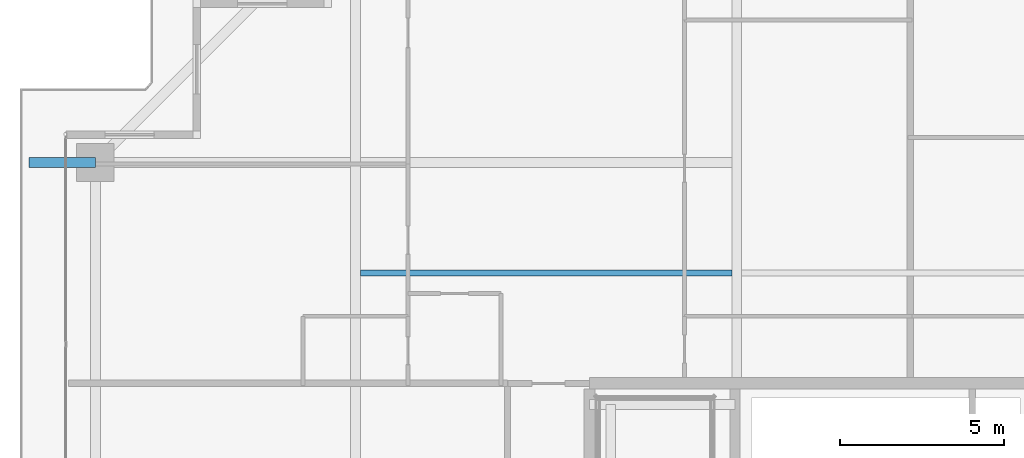
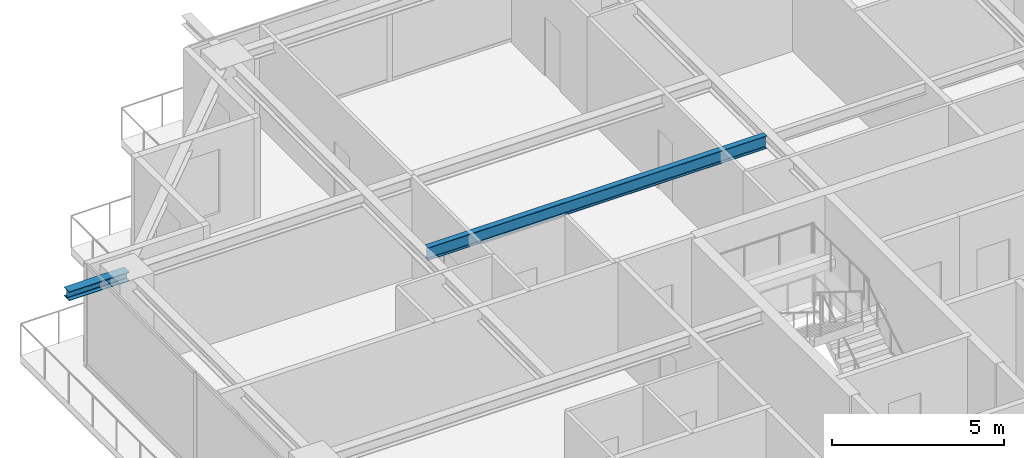
# One storey, part 17 of 37: 2 beams.
"""IFC4 building model written with IfcOpenShell, lengths in metres."""

import ifcopenshell
import ifcopenshell.guid

model = None  # the IFC model being written
_history = None  # IfcOwnerHistory: only IFC2X3 demands one
_inside = {}  # id of a spatial element -> (the spatial element, [elements in it])
_under = {}  # id of a project, library or spatial element -> (it, [spatial elements below it])
_declared = {}  # id of a project -> (the project, [libraries it declares])
_typed = {}  # id of a type object -> (the type object, [elements of that type])
_made_of = {}  # id of a material, layer set ... -> (it, [elements and type objects made of it])


def new_model(schema):
    """Start an empty IFC model of exactly this schema.

    Asked for "IFC4X3", IfcOpenShell would pick the latest addendum, in which some entities
    have other attributes; the version numbers below select the first issue.
    IFC2X3 requires an IfcOwnerHistory on every rooted entity: one is made here for all.
    """
    global model, _history
    if schema == "IFC4X3":
        model = ifcopenshell.file(schema_version=(4, 3, 0, 0))
    else:
        model = ifcopenshell.file(schema=schema)
    _inside.clear()
    _under.clear()
    _declared.clear()
    _typed.clear()
    _made_of.clear()
    _history = None
    if model.schema == "IFC2X3":
        org = make("IfcOrganization", Name="unknown")
        user = make(
            "IfcPersonAndOrganization",
            ThePerson=make("IfcPerson", FamilyName="unknown"),
            TheOrganization=org,
        )
        app = make(
            "IfcApplication",
            ApplicationDeveloper=org,
            Version="unknown",
            ApplicationFullName="unknown",
            ApplicationIdentifier="unknown",
        )
        _history = make(
            "IfcOwnerHistory",
            OwningUser=user,
            OwningApplication=app,
            ChangeAction="ADDED",
            CreationDate=0,
        )
    return model


def make(cls, **values):
    """One entity of the class cls with the attributes given. An attribute that is None is left unset."""
    return model.create_entity(
        cls, **{name: value for name, value in values.items() if value is not None}
    )


def rooted(cls, **values):
    """An entity with a GlobalId (a new one), such as an element, a storey or a relation."""
    return make(cls, GlobalId=ifcopenshell.guid.new(), OwnerHistory=_history, **values)


def si_unit(unit_type, name, prefix=None):
    """IfcSIUnit, for example si_unit("LENGTHUNIT", "METRE", prefix="MILLI")."""
    return make("IfcSIUnit", UnitType=unit_type, Prefix=prefix, Name=name)


def assignment(units):
    """IfcUnitAssignment: the units of a project."""
    return None if units is None else make("IfcUnitAssignment", Units=units)


def point(xyz):
    """IfcCartesianPoint."""
    return None if xyz is None else make("IfcCartesianPoint", Coordinates=xyz)


def direction(xyz):
    """IfcDirection."""
    return None if xyz is None else make("IfcDirection", DirectionRatios=xyz)


def frame(location, z_axis=None, x_axis=None):
    """IfcAxis2Placement3D, a coordinate frame: its origin and axes. An axis left out is left unset."""
    return make(
        "IfcAxis2Placement3D",
        Location=point(location),
        Axis=direction(z_axis),
        RefDirection=direction(x_axis),
    )


def frame_2d(location, x_axis=None):
    """IfcAxis2Placement2D, a coordinate frame in the plane: its origin and x axis."""
    return make(
        "IfcAxis2Placement2D", Location=point(location), RefDirection=direction(x_axis)
    )


def origin():
    """The frame at (0, 0, 0) with its axes left unset."""
    return frame((0.0, 0.0, 0.0))


def origin_2d():
    """The frame at (0, 0) in the plane with its x axis left unset."""
    return frame_2d((0.0, 0.0))


def place(relative_to, where):
    """IfcLocalPlacement: puts the frame where relative to a parent placement (None: the world)."""
    return make(
        "IfcLocalPlacement", PlacementRelTo=relative_to, RelativePlacement=where
    )


def context(
    kind, dimensions, precision=None, world=None, true_north=None, identifier=None
):
    """IfcGeometricRepresentationContext, for example the 3D "Model" context."""
    return make(
        "IfcGeometricRepresentationContext",
        ContextIdentifier=identifier,
        ContextType=kind,
        CoordinateSpaceDimension=dimensions,
        Precision=precision,
        WorldCoordinateSystem=world,
        TrueNorth=true_north,
    )


def subcontext(parent, identifier, kind, view, scale=None):
    """IfcGeometricRepresentationSubContext, for example "Body" below "Model"."""
    return make(
        "IfcGeometricRepresentationSubContext",
        ContextIdentifier=identifier,
        ContextType=kind,
        ParentContext=parent,
        TargetScale=scale,
        TargetView=view,
    )


def project(units=None, contexts=None):
    """IfcProject with its units and contexts."""
    return rooted(
        "IfcProject",
        Name="project",
        RepresentationContexts=contexts,
        UnitsInContext=assignment(units),
    )


def spatial(cls, under=None, at=None, **own):
    """A site, building, storey or space (cls), placed at a placement, below another one or the project."""
    s = rooted(cls, ObjectPlacement=at, **own)
    if under is not None:
        _under.setdefault(under.id(), (under, []))[1].append(s)
    return s


def profile(cls, at=None, kind="AREA", **sizes):
    """A parametric profile (cls). Its sizes go by their IFC names, for example OverallWidth=200.0."""
    return make(cls, ProfileType=kind, Position=at, **sizes)


def i_section(**sizes):
    """IfcIShapeProfileDef."""
    return profile("IfcIShapeProfileDef", **sizes)


def extrude(swept, where, along, depth):
    """IfcExtrudedAreaSolid: the profile swept, set in the frame where, extruded along a direction by depth."""
    return make(
        "IfcExtrudedAreaSolid",
        SweptArea=swept,
        Position=where,
        ExtrudedDirection=direction(along),
        Depth=depth,
    )


def shape(context_of_items, identifier, shape_type, items):
    """IfcShapeRepresentation: the items that make up one representation, for example the "Body"."""
    return make(
        "IfcShapeRepresentation",
        ContextOfItems=context_of_items,
        RepresentationIdentifier=identifier,
        RepresentationType=shape_type,
        Items=items,
    )


def source(mapping_origin, context_of_items, identifier, shape_type, items):
    """IfcRepresentationMap: a shape defined once, which mapped items show again and again."""
    return make(
        "IfcRepresentationMap",
        MappingOrigin=mapping_origin,
        MappedRepresentation=shape(context_of_items, identifier, shape_type, items),
    )


def transform(
    local_origin,
    x_axis=None,
    y_axis=None,
    z_axis=None,
    scale=None,
    scale2=None,
    scale3=None,
    uniform=True,
):
    """IfcCartesianTransformationOperator3D, or its non-uniform kind. x_axis, y_axis, z_axis: its Axis1, 2, 3."""
    if uniform:
        return make(
            "IfcCartesianTransformationOperator3D",
            Axis1=direction(x_axis),
            Axis2=direction(y_axis),
            LocalOrigin=point(local_origin),
            Scale=scale,
            Axis3=direction(z_axis),
        )
    return make(
        "IfcCartesianTransformationOperator3DnonUniform",
        Axis1=direction(x_axis),
        Axis2=direction(y_axis),
        LocalOrigin=point(local_origin),
        Scale=scale,
        Axis3=direction(z_axis),
        Scale2=scale2,
        Scale3=scale3,
    )


def mapped(mapping_source, mapping_target):
    """IfcMappedItem: shows the shape of a source again, moved by a transform."""
    return make(
        "IfcMappedItem", MappingSource=mapping_source, MappingTarget=mapping_target
    )


def material(Name=None, Category=None):
    """IfcMaterial."""
    return make("IfcMaterial", Name=Name, Category=Category)


def material_profile(
    of_material, cross_section, Name=None, Category=None, Priority=None
):
    """IfcMaterialProfile: a cross section and its material."""
    return make(
        "IfcMaterialProfile",
        Name=Name,
        Material=of_material,
        Profile=cross_section,
        Priority=Priority,
        Category=Category,
    )


def profile_set(profiles, Name=None, composite=None):
    """IfcMaterialProfileSet."""
    return make(
        "IfcMaterialProfileSet",
        Name=Name,
        MaterialProfiles=profiles,
        CompositeProfile=composite,
    )


def made_of(thing, what):
    """Note that an element or type object is made of a material, layer set ...; save() writes the relation."""
    if what is not None:
        _made_of.setdefault(what.id(), (what, []))[1].append(thing)
    return thing


def type_object(cls, material=None, **own):
    """A type object (cls), such as IfcWallType, which elements share."""
    return made_of(rooted(cls, **own), material)


def element(
    cls,
    number,
    at=None,
    inside=None,
    cuts=None,
    type_object=None,
    material=None,
    context=None,
    identifier="Body",
    shape_type=None,
    held_by="IfcProductDefinitionShape",
    body=None,
    shapes=None,
    **own,
):
    """One element of the class cls, such as IfcWall. Its Tag is "e" and its number.

    at: its placement. inside: the storey or other place that contains it. cuts: it is an
    opening in that element (IfcRelVoidsElement). A single representation is given by context,
    identifier, shape_type and body (its items); several are given by shapes. held_by: the class
    of the entity that holds the representations. save() writes the other relations.
    """
    e = rooted(cls, Tag="e%d" % number, ObjectPlacement=at, **own)
    if body is not None:
        shapes = [shape(context, identifier, shape_type, body)]
    if shapes is not None:
        e.Representation = make(held_by, Representations=shapes)
    if inside is not None:
        _inside.setdefault(inside.id(), (inside, []))[1].append(e)
    if cuts is not None:
        rooted(
            "IfcRelVoidsElement", RelatingBuildingElement=cuts, RelatedOpeningElement=e
        )
    if type_object is not None:
        _typed.setdefault(type_object.id(), (type_object, []))[1].append(e)
    return made_of(e, material)


def aggregate(whole, parts):
    """IfcRelAggregates: a whole, such as a stair, and the parts it consists of."""
    return rooted("IfcRelAggregates", RelatingObject=whole, RelatedObjects=parts)


def save(model, path):
    """Write the relations noted so far, then the file.

    IfcRelAggregates (storeys below a building ...), IfcRelContainedInSpatialStructure (elements
    in a storey), IfcRelDefinesByType, IfcRelAssociatesMaterial and IfcRelDeclares: one each for
    every whole, place, type object, material and project.
    """
    for whole, parts in _under.values():
        aggregate(whole, parts)
    for where, things in _inside.values():
        rooted(
            "IfcRelContainedInSpatialStructure",
            RelatedElements=things,
            RelatingStructure=where,
        )
    for kind, things in _typed.values():
        rooted("IfcRelDefinesByType", RelatedObjects=things, RelatingType=kind)
    for what, things in _made_of.values():
        rooted("IfcRelAssociatesMaterial", RelatedObjects=things, RelatingMaterial=what)
    for by, libraries in _declared.values():
        rooted("IfcRelDeclares", RelatingContext=by, RelatedDefinitions=libraries)
    model.write(path)


model = new_model("IFC4")

# Units and contexts
model_context = context("Model", 3, precision=1e-05, world=origin(), true_north=direction((0.0, 1.0)))
body_context = subcontext(model_context, "Body", "Model", "MODEL_VIEW")
ifc_project = project(units=[si_unit("LENGTHUNIT", "METRE"), si_unit("AREAUNIT", "SQUARE_METRE"), si_unit("VOLUMEUNIT", "CUBIC_METRE"), si_unit("PLANEANGLEUNIT", "RADIAN"), si_unit("MASSUNIT", "GRAM", prefix="KILO")], contexts=[model_context])

# Site, building, storey
site_placement = place(None, origin())
site = spatial("IfcSite", under=ifc_project, at=site_placement, CompositionType="ELEMENT")
building_placement = place(site_placement, origin())
building = spatial("IfcBuilding", under=site, at=building_placement, Name="Serunith Strait Residences", CompositionType="ELEMENT")
storey_placement = place(building_placement, frame((0.0, 0.0, 275.89990234375)))
storey = spatial("IfcBuildingStorey", under=building, at=storey_placement, Name="L69", CompositionType="ELEMENT", Elevation=275.89990234375)

# Beams
ifc_material = material(Name="Steel S355J2", Category="steel")
ifc_material_profile_1 = material_profile(ifc_material, i_section(OverallWidth=0.300048828125, OverallDepth=0.320068359375, WebThickness=0.011474609375, FlangeThickness=0.0205078125, FilletRadius=0.027099609375, at=origin_2d()), Name="HEB 320")
ifc_profile_set_1 = profile_set([ifc_material_profile_1], Name="Steel S355J2")
beam_type_1 = type_object("IfcBeamType", Name="BM-HEB320", PredefinedType="BEAM", material=ifc_profile_set_1)
shared_shape_1 = source(origin(), body_context, "Body", "SweptSolid", [
    extrude(i_section(OverallWidth=0.300048828125, OverallDepth=0.320068359375, WebThickness=0.011474609375, FlangeThickness=0.0205078125, FilletRadius=0.027099609375, at=origin_2d()), origin(), (0.0, 0.0, 1.0), 2.030029296875),
])
beam_1_placement = place(storey_placement, frame((8.300048828125, 40.35009765625, 3.397216796875), z_axis=(-1.0, 0.0, 0.0), x_axis=(0.0, -1.0, 0.0)))
element("IfcBeam", 1, at=beam_1_placement, inside=storey, type_object=beam_type_1, Name="L70 Cantilevered Balcony Rib TC-W4", PredefinedType="BEAM", context=body_context, shape_type="MappedRepresentation", body=[
    mapped(shared_shape_1, transform((0.0, 0.0, 0.0), scale=1.0)),
])
ifc_material_profile_2 = material_profile(ifc_material, i_section(OverallWidth=0.18994140625, OverallDepth=0.449951171875, WebThickness=0.009521484375, FlangeThickness=0.0146484375, FilletRadius=0.02099609375, at=origin_2d()), Name="IPE 450")
ifc_profile_set_2 = profile_set([ifc_material_profile_2], Name="Steel S355J2")
beam_type_2 = type_object("IfcBeamType", Name="BM-IPE450", PredefinedType="JOIST", material=ifc_profile_set_2)
shared_shape_2 = source(origin(), body_context, "Body", "SweptSolid", [
    extrude(i_section(OverallWidth=0.18994140625, OverallDepth=0.449951171875, WebThickness=0.009521484375, FlangeThickness=0.0146484375, FilletRadius=0.02099609375, at=origin_2d()), origin(), (0.0, 0.0, 1.0), 11.35009765625),
])
beam_2_placement = place(storey_placement, frame((16.39990234375, 36.97509765625, 3.362060546875), z_axis=(1.0, 0.0, 0.0), x_axis=(0.0, 1.0, 0.0)))
element("IfcBeam", 2, at=beam_2_placement, inside=storey, type_object=beam_type_2, Name="L69 Composite Floor Joist 04", PredefinedType="JOIST", context=body_context, shape_type="MappedRepresentation", body=[
    mapped(shared_shape_2, transform((0.0, 0.0, 0.0), scale=1.0)),
])

save(model, "model.ifc")
